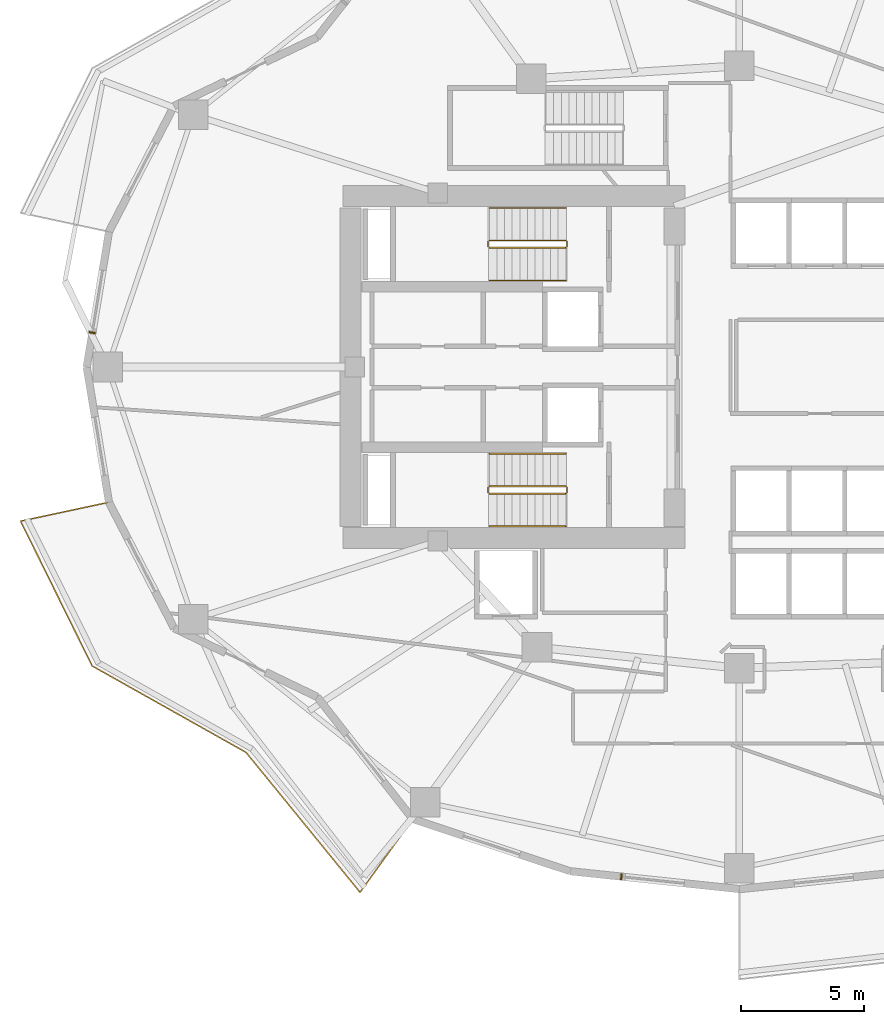
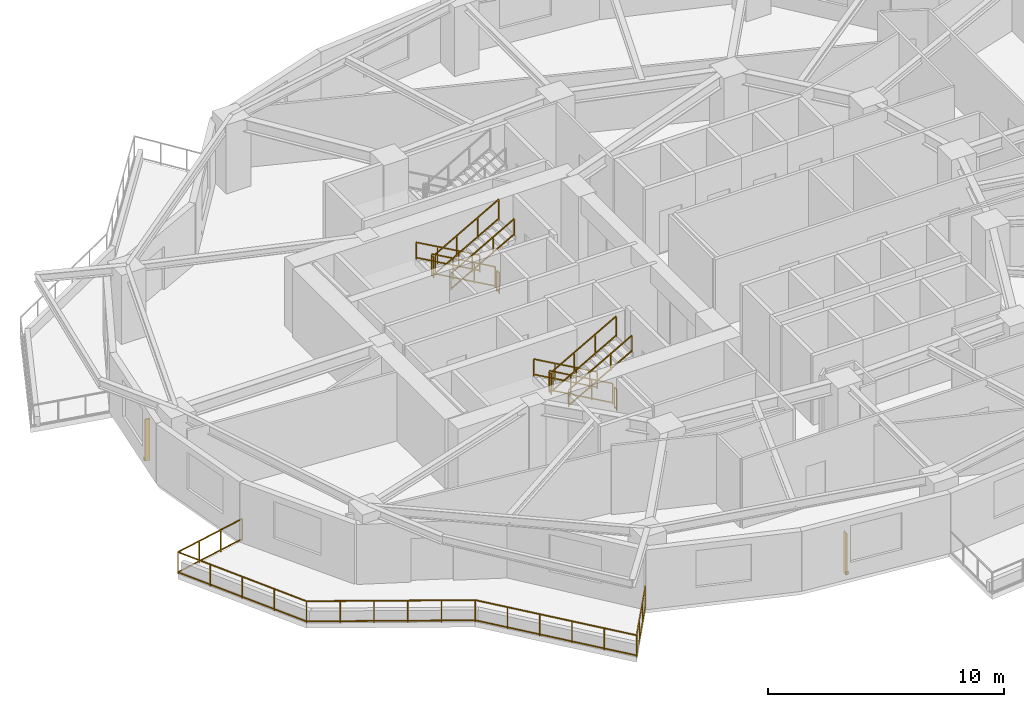
# One storey, part 8 of 11: 13 railings, 2 shading devices.
"""IFC4 building model written with IfcOpenShell, lengths in metres."""

from ifc_helpers import new_model, si_unit, direction, frame, origin, origin_2d, place, context, subcontext, project, spatial, rectangle, extrude, material, type_object, element, save


model = new_model("IFC4")

# Units and contexts
model_context = context("Model", 3, precision=1e-05, world=origin(), true_north=direction((0.0, 1.0)))
body_context = subcontext(model_context, "Body", "Model", "MODEL_VIEW")
ifc_project = project(units=[si_unit("LENGTHUNIT", "METRE"), si_unit("AREAUNIT", "SQUARE_METRE"), si_unit("VOLUMEUNIT", "CUBIC_METRE"), si_unit("PLANEANGLEUNIT", "RADIAN"), si_unit("MASSUNIT", "GRAM", prefix="KILO")], contexts=[model_context])

# Site, building, storey
site_placement = place(None, origin())
site = spatial("IfcSite", under=ifc_project, at=site_placement, CompositionType="ELEMENT")
building_placement = place(site_placement, origin())
building = spatial("IfcBuilding", under=site, at=building_placement, Name="Kolvaren Gate Tower and Convention Centre", CompositionType="ELEMENT")
storey_placement = place(building_placement, frame((0.0, 0.0, 80.39990234375)))
storey = spatial("IfcBuildingStorey", under=building, at=storey_placement, Name="L19", CompositionType="ELEMENT", Elevation=80.39990234375)

# Railings
ifc_material_1 = material(Name="Brushed Stainless Steel Grade 316L", Category="steel")
railing_type_1 = type_object("IfcRailingType", Name="ARCH-RL-GUARD-1150", PredefinedType="GUARDRAIL", material=ifc_material_1)
railing_1_placement = place(storey_placement, frame((23.10009765625, 32.1298828125, 0.175048828125)))
element("IfcRailing", 1, at=railing_1_placement, inside=storey, type_object=railing_type_1, Name="L19 ST-T1 stair guard 1", PredefinedType="GUARDRAIL", context=body_context, shape_type="SweptSolid", body=[
    extrude(rectangle(XDim=0.048095703125, YDim=0.048095703125, at=origin_2d()), frame((0.0, 0.0, 1.076171875), z_axis=(-0.870830938388, 0.0, 0.491582624537), x_axis=(0.0, -1.0, 0.0)), (0.0, 0.0, 1.0), 3.559814453125),
    extrude(rectangle(XDim=0.048095703125, YDim=0.048095703125, at=origin_2d()), frame((0.0, 0.0, 0.083984375), z_axis=(-0.870830938388, 0.0, 0.491582624537), x_axis=(0.0, -1.0, 0.0)), (0.0, 0.0, 1.0), 3.559814453125),
    extrude(rectangle(XDim=0.0419921875, YDim=0.0419921875, at=origin_2d()), origin(), (0.0, 0.0, 1.0), 1.050048828125),
    extrude(rectangle(XDim=0.0419921875, YDim=0.0419921875, at=origin_2d()), frame((-3.10009765625, 0.0, 1.75)), (0.0, 0.0, 1.0), 1.050048828125),
    extrude(rectangle(XDim=0.0419921875, YDim=0.0419921875, at=origin_2d()), frame((-1.033447265625, 0.0, 0.583251953125)), (0.0, 0.0, 1.0), 1.050048828125),
    extrude(rectangle(XDim=0.0419921875, YDim=0.0419921875, at=origin_2d()), frame((-2.066650390625, 0.0, 1.166748046875)), (0.0, 0.0, 1.0), 1.050048828125),
])
railing_2_placement = place(storey_placement, frame((19.949951171875, 32.080078125, 1.925048828125)))
element("IfcRailing", 2, at=railing_2_placement, inside=storey, type_object=railing_type_1, Name="L19 ST-T1 stair guard 2", PredefinedType="GUARDRAIL", context=body_context, shape_type="SweptSolid", body=[
    extrude(rectangle(XDim=0.048095703125, YDim=0.048095703125, at=origin_2d()), frame((0.0, 0.0, 1.076171875), z_axis=(0.0, -1.0, 0.0), x_axis=(1.0, 0.0, 0.0)), (0.0, 0.0, 1.0), 0.2001953125),
    extrude(rectangle(XDim=0.048095703125, YDim=0.048095703125, at=origin_2d()), frame((0.0, 0.0, 0.083984375), z_axis=(0.0, -1.0, 0.0), x_axis=(1.0, 0.0, 0.0)), (0.0, 0.0, 1.0), 0.2001953125),
    extrude(rectangle(XDim=0.0419921875, YDim=0.0419921875, at=origin_2d()), origin(), (0.0, 0.0, 1.0), 1.050048828125),
    extrude(rectangle(XDim=0.0419921875, YDim=0.0419921875, at=origin_2d()), frame((0.0, -0.2001953125, 0.0)), (0.0, 0.0, 1.0), 1.050048828125),
])
railing_3_placement = place(storey_placement, frame((20.0, 31.830078125, 2.10009765625)))
element("IfcRailing", 3, at=railing_3_placement, inside=storey, type_object=railing_type_1, Name="L19 ST-T1 stair guard 3", PredefinedType="GUARDRAIL", context=body_context, shape_type="SweptSolid", body=[
    extrude(rectangle(XDim=0.048095703125, YDim=0.048095703125, at=origin_2d()), frame((0.0, 0.0, 1.076171875), z_axis=(0.870830938388, 0.0, 0.491582624537), x_axis=(0.0, 1.0, 0.0)), (0.0, 0.0, 1.0), 3.559814453125),
    extrude(rectangle(XDim=0.048095703125, YDim=0.048095703125, at=origin_2d()), frame((0.0, 0.0, 0.083984375), z_axis=(0.870830938388, 0.0, 0.491582624537), x_axis=(0.0, 1.0, 0.0)), (0.0, 0.0, 1.0), 3.559814453125),
    extrude(rectangle(XDim=0.0419921875, YDim=0.0419921875, at=origin_2d()), origin(), (0.0, 0.0, 1.0), 1.050048828125),
    extrude(rectangle(XDim=0.0419921875, YDim=0.0419921875, at=origin_2d()), frame((3.10009765625, 0.0, 1.75)), (0.0, 0.0, 1.0), 1.050048828125),
    extrude(rectangle(XDim=0.0419921875, YDim=0.0419921875, at=origin_2d()), frame((1.033447265625, 0.0, 0.583251953125)), (0.0, 0.0, 1.0), 1.050048828125),
    extrude(rectangle(XDim=0.0419921875, YDim=0.0419921875, at=origin_2d()), frame((2.066650390625, 0.0, 1.166748046875)), (0.0, 0.0, 1.0), 1.050048828125),
])
railing_4_placement = place(storey_placement, frame((23.14990234375, 32.080078125, 0.0)))
element("IfcRailing", 4, at=railing_4_placement, inside=storey, type_object=railing_type_1, Name="L19 ST-T1 stair guard 4", PredefinedType="GUARDRAIL", context=body_context, shape_type="SweptSolid", body=[
    extrude(rectangle(XDim=0.048095703125, YDim=0.048095703125, at=origin_2d()), frame((0.0, 0.0, 1.076171875), z_axis=(0.0, -1.0, 0.0), x_axis=(1.0, 0.0, 0.0)), (0.0, 0.0, 1.0), 0.2001953125),
    extrude(rectangle(XDim=0.048095703125, YDim=0.048095703125, at=origin_2d()), frame((0.0, 0.0, 0.083984375), z_axis=(0.0, -1.0, 0.0), x_axis=(1.0, 0.0, 0.0)), (0.0, 0.0, 1.0), 0.2001953125),
    extrude(rectangle(XDim=0.0419921875, YDim=0.0419921875, at=origin_2d()), origin(), (0.0, 0.0, 1.0), 1.050048828125),
    extrude(rectangle(XDim=0.0419921875, YDim=0.0419921875, at=origin_2d()), frame((0.0, -0.2001953125, 0.0)), (0.0, 0.0, 1.0), 1.050048828125),
])
railing_5_placement = place(storey_placement, frame((23.10009765625, 22.169921875, 0.175048828125)))
element("IfcRailing", 5, at=railing_5_placement, inside=storey, type_object=railing_type_1, Name="L19 ST-T2 stair guard 1", PredefinedType="GUARDRAIL", context=body_context, shape_type="SweptSolid", body=[
    extrude(rectangle(XDim=0.048095703125, YDim=0.048095703125, at=origin_2d()), frame((0.0, 0.0, 1.076171875), z_axis=(-0.870830938388, 0.0, 0.491582624537), x_axis=(0.0, -1.0, 0.0)), (0.0, 0.0, 1.0), 3.559814453125),
    extrude(rectangle(XDim=0.048095703125, YDim=0.048095703125, at=origin_2d()), frame((0.0, 0.0, 0.083984375), z_axis=(-0.870830938388, 0.0, 0.491582624537), x_axis=(0.0, -1.0, 0.0)), (0.0, 0.0, 1.0), 3.559814453125),
    extrude(rectangle(XDim=0.0419921875, YDim=0.0419921875, at=origin_2d()), origin(), (0.0, 0.0, 1.0), 1.050048828125),
    extrude(rectangle(XDim=0.0419921875, YDim=0.0419921875, at=origin_2d()), frame((-3.10009765625, 0.0, 1.75)), (0.0, 0.0, 1.0), 1.050048828125),
    extrude(rectangle(XDim=0.0419921875, YDim=0.0419921875, at=origin_2d()), frame((-1.033447265625, 0.0, 0.583251953125)), (0.0, 0.0, 1.0), 1.050048828125),
    extrude(rectangle(XDim=0.0419921875, YDim=0.0419921875, at=origin_2d()), frame((-2.066650390625, 0.0, 1.166748046875)), (0.0, 0.0, 1.0), 1.050048828125),
])
railing_6_placement = place(storey_placement, frame((19.949951171875, 22.1201171875, 1.925048828125)))
element("IfcRailing", 6, at=railing_6_placement, inside=storey, type_object=railing_type_1, Name="L19 ST-T2 stair guard 2", PredefinedType="GUARDRAIL", context=body_context, shape_type="SweptSolid", body=[
    extrude(rectangle(XDim=0.048095703125, YDim=0.048095703125, at=origin_2d()), frame((0.0, 0.0, 1.076171875), z_axis=(0.0, -1.0, 0.0), x_axis=(1.0, 0.0, 0.0)), (0.0, 0.0, 1.0), 0.2001953125),
    extrude(rectangle(XDim=0.048095703125, YDim=0.048095703125, at=origin_2d()), frame((0.0, 0.0, 0.083984375), z_axis=(0.0, -1.0, 0.0), x_axis=(1.0, 0.0, 0.0)), (0.0, 0.0, 1.0), 0.2001953125),
    extrude(rectangle(XDim=0.0419921875, YDim=0.0419921875, at=origin_2d()), origin(), (0.0, 0.0, 1.0), 1.050048828125),
    extrude(rectangle(XDim=0.0419921875, YDim=0.0419921875, at=origin_2d()), frame((0.0, -0.2001953125, 0.0)), (0.0, 0.0, 1.0), 1.050048828125),
])
railing_7_placement = place(storey_placement, frame((20.0, 21.8701171875, 2.10009765625)))
element("IfcRailing", 7, at=railing_7_placement, inside=storey, type_object=railing_type_1, Name="L19 ST-T2 stair guard 3", PredefinedType="GUARDRAIL", context=body_context, shape_type="SweptSolid", body=[
    extrude(rectangle(XDim=0.048095703125, YDim=0.048095703125, at=origin_2d()), frame((0.0, 0.0, 1.076171875), z_axis=(0.870830938388, 0.0, 0.491582624537), x_axis=(0.0, 1.0, 0.0)), (0.0, 0.0, 1.0), 3.559814453125),
    extrude(rectangle(XDim=0.048095703125, YDim=0.048095703125, at=origin_2d()), frame((0.0, 0.0, 0.083984375), z_axis=(0.870830938388, 0.0, 0.491582624537), x_axis=(0.0, 1.0, 0.0)), (0.0, 0.0, 1.0), 3.559814453125),
    extrude(rectangle(XDim=0.0419921875, YDim=0.0419921875, at=origin_2d()), origin(), (0.0, 0.0, 1.0), 1.050048828125),
    extrude(rectangle(XDim=0.0419921875, YDim=0.0419921875, at=origin_2d()), frame((3.10009765625, 0.0, 1.75)), (0.0, 0.0, 1.0), 1.050048828125),
    extrude(rectangle(XDim=0.0419921875, YDim=0.0419921875, at=origin_2d()), frame((1.033447265625, 0.0, 0.583251953125)), (0.0, 0.0, 1.0), 1.050048828125),
    extrude(rectangle(XDim=0.0419921875, YDim=0.0419921875, at=origin_2d()), frame((2.066650390625, 0.0, 1.166748046875)), (0.0, 0.0, 1.0), 1.050048828125),
])
railing_8_placement = place(storey_placement, frame((23.14990234375, 22.1201171875, 0.0)))
element("IfcRailing", 8, at=railing_8_placement, inside=storey, type_object=railing_type_1, Name="L19 ST-T2 stair guard 4", PredefinedType="GUARDRAIL", context=body_context, shape_type="SweptSolid", body=[
    extrude(rectangle(XDim=0.048095703125, YDim=0.048095703125, at=origin_2d()), frame((0.0, 0.0, 1.076171875), z_axis=(0.0, -1.0, 0.0), x_axis=(1.0, 0.0, 0.0)), (0.0, 0.0, 1.0), 0.2001953125),
    extrude(rectangle(XDim=0.048095703125, YDim=0.048095703125, at=origin_2d()), frame((0.0, 0.0, 0.083984375), z_axis=(0.0, -1.0, 0.0), x_axis=(1.0, 0.0, 0.0)), (0.0, 0.0, 1.0), 0.2001953125),
    extrude(rectangle(XDim=0.0419921875, YDim=0.0419921875, at=origin_2d()), origin(), (0.0, 0.0, 1.0), 1.050048828125),
    extrude(rectangle(XDim=0.0419921875, YDim=0.0419921875, at=origin_2d()), frame((0.0, -0.2001953125, 0.0)), (0.0, 0.0, 1.0), 1.050048828125),
])
railing_9_placement = place(storey_placement, frame((4.58837890625, 21.52587890625, 0.0)))
element("IfcRailing", 9, at=railing_9_placement, inside=storey, type_object=railing_type_1, Name="Tower L19 Terrace Perimeter Guardrail GR-2", PredefinedType="GUARDRAIL", context=body_context, shape_type="SweptSolid", body=[
    extrude(rectangle(XDim=0.048095703125, YDim=0.048095703125, at=origin_2d()), frame((-0.02734375, -0.005859375, 1.1259765625), z_axis=(-0.977791675321, -0.209579196661, 0.0), x_axis=(0.209579196661, -0.977791675321, 0.0)), (0.0, 0.0, 1.0), 3.60400390625),
    extrude(rectangle(XDim=0.048095703125, YDim=0.048095703125, at=origin_2d()), frame((-0.02734375, -0.005859375, 0.083984375), z_axis=(-0.977791675321, -0.209579196661, 0.0), x_axis=(0.209579196661, -0.977791675321, 0.0)), (0.0, 0.0, 1.0), 3.60400390625),
    extrude(rectangle(XDim=0.048095703125, YDim=0.048095703125, at=origin_2d()), frame((-3.56640625, -0.792236328125, 1.1259765625), z_axis=(0.442686636348, -0.89667638644, 0.0), x_axis=(0.89667638644, 0.442686636348, 0.0)), (0.0, 0.0, 1.0), 6.488525390625),
    extrude(rectangle(XDim=0.048095703125, YDim=0.048095703125, at=origin_2d()), frame((-3.56640625, -0.792236328125, 0.083984375), z_axis=(0.442686636348, -0.89667638644, 0.0), x_axis=(0.89667638644, 0.442686636348, 0.0)), (0.0, 0.0, 1.0), 6.488525390625),
    extrude(rectangle(XDim=0.048095703125, YDim=0.048095703125, at=origin_2d()), frame((-0.6572265625, -6.649169921875, 1.1259765625), z_axis=(0.871783301661, -0.489891697159, 0.0), x_axis=(0.489891697159, 0.871783301661, 0.0)), (0.0, 0.0, 1.0), 7.096435546875),
    extrude(rectangle(XDim=0.048095703125, YDim=0.048095703125, at=origin_2d()), frame((-0.6572265625, -6.649169921875, 0.083984375), z_axis=(0.871783301661, -0.489891697159, 0.0), x_axis=(0.489891697159, 0.871783301661, 0.0)), (0.0, 0.0, 1.0), 7.096435546875),
    extrude(rectangle(XDim=0.048095703125, YDim=0.048095703125, at=origin_2d()), frame((5.571533203125, -10.1611328125, 1.1259765625), z_axis=(0.631819273026, -0.775115737315, 0.0), x_axis=(0.775115737315, 0.631819273026, 0.0)), (0.0, 0.0, 1.0), 7.259765625),
    extrude(rectangle(XDim=0.048095703125, YDim=0.048095703125, at=origin_2d()), frame((5.571533203125, -10.1611328125, 0.083984375), z_axis=(0.631819273026, -0.775115737315, 0.0), x_axis=(0.775115737315, 0.631819273026, 0.0)), (0.0, 0.0, 1.0), 7.259765625),
    extrude(rectangle(XDim=0.048095703125, YDim=0.048095703125, at=origin_2d()), frame((10.1923828125, -15.787353515625, 1.1259765625), z_axis=(0.585212870465, 0.810879705161, 0.0), x_axis=(-0.810879705161, 0.585212870465, 0.0)), (0.0, 0.0, 1.0), 3.603759765625),
    extrude(rectangle(XDim=0.048095703125, YDim=0.048095703125, at=origin_2d()), frame((10.1923828125, -15.787353515625, 0.083984375), z_axis=(0.585212870465, 0.810879705161, 0.0), x_axis=(-0.810879705161, 0.585212870465, 0.0)), (0.0, 0.0, 1.0), 3.603759765625),
    extrude(rectangle(XDim=0.0419921875, YDim=0.0419921875, at=origin_2d()), origin(), (0.0, 0.0, 1.0), 1.14990234375),
    extrude(rectangle(XDim=0.0419921875, YDim=0.0419921875, at=origin_2d()), frame((-3.578857421875, -0.76708984375, 0.0)), (0.0, 0.0, 1.0), 1.14990234375),
    extrude(rectangle(XDim=0.0419921875, YDim=0.0419921875, at=origin_2d()), frame((-1.19287109375, -0.255615234375, 0.0)), (0.0, 0.0, 1.0), 1.099853515625),
    extrude(rectangle(XDim=0.0419921875, YDim=0.0419921875, at=origin_2d()), frame((-2.385986328125, -0.511474609375, 0.0)), (0.0, 0.0, 1.0), 1.099853515625),
    extrude(rectangle(XDim=0.0419921875, YDim=0.0419921875, at=origin_2d()), frame((-0.681640625, -6.635498046875, 0.0)), (0.0, 0.0, 1.0), 1.14990234375),
    extrude(rectangle(XDim=0.0419921875, YDim=0.0419921875, at=origin_2d()), frame((-2.8544921875, -2.234130859375, 0.0)), (0.0, 0.0, 1.0), 1.099853515625),
    extrude(rectangle(XDim=0.0419921875, YDim=0.0419921875, at=origin_2d()), frame((-2.13037109375, -3.701171875, 0.0)), (0.0, 0.0, 1.0), 1.099853515625),
    extrude(rectangle(XDim=0.0419921875, YDim=0.0419921875, at=origin_2d()), frame((-1.406005859375, -5.16845703125, 0.0)), (0.0, 0.0, 1.0), 1.099853515625),
    extrude(rectangle(XDim=0.0419921875, YDim=0.0419921875, at=origin_2d()), frame((5.5537109375, -10.139404296875, 0.0)), (0.0, 0.0, 1.0), 1.14990234375),
    extrude(rectangle(XDim=0.0419921875, YDim=0.0419921875, at=origin_2d()), frame((0.5654296875, -7.336181640625, 0.0)), (0.0, 0.0, 1.0), 1.099853515625),
    extrude(rectangle(XDim=0.0419921875, YDim=0.0419921875, at=origin_2d()), frame((1.8125, -8.037109375, 0.0)), (0.0, 0.0, 1.0), 1.099853515625),
    extrude(rectangle(XDim=0.0419921875, YDim=0.0419921875, at=origin_2d()), frame((3.0595703125, -8.73779296875, 0.0)), (0.0, 0.0, 1.0), 1.099853515625),
    extrude(rectangle(XDim=0.0419921875, YDim=0.0419921875, at=origin_2d()), frame((4.306640625, -9.438720703125, 0.0)), (0.0, 0.0, 1.0), 1.099853515625),
    extrude(rectangle(XDim=0.0419921875, YDim=0.0419921875, at=origin_2d()), frame((10.176025390625, -15.81005859375, 0.0)), (0.0, 0.0, 1.0), 1.14990234375),
    extrude(rectangle(XDim=0.0419921875, YDim=0.0419921875, at=origin_2d()), frame((6.478271484375, -11.2734375, 0.0)), (0.0, 0.0, 1.0), 1.099853515625),
    extrude(rectangle(XDim=0.0419921875, YDim=0.0419921875, at=origin_2d()), frame((7.402587890625, -12.40771484375, 0.0)), (0.0, 0.0, 1.0), 1.099853515625),
    extrude(rectangle(XDim=0.0419921875, YDim=0.0419921875, at=origin_2d()), frame((8.3271484375, -13.541748046875, 0.0)), (0.0, 0.0, 1.0), 1.099853515625),
    extrude(rectangle(XDim=0.0419921875, YDim=0.0419921875, at=origin_2d()), frame((9.25146484375, -14.676025390625, 0.0)), (0.0, 0.0, 1.0), 1.099853515625),
    extrude(rectangle(XDim=0.0419921875, YDim=0.0419921875, at=origin_2d()), frame((12.31787109375, -12.84228515625, 0.0)), (0.0, 0.0, 1.0), 1.14990234375),
    extrude(rectangle(XDim=0.0419921875, YDim=0.0419921875, at=origin_2d()), frame((10.889892578125, -14.82080078125, 0.0)), (0.0, 0.0, 1.0), 1.099853515625),
    extrude(rectangle(XDim=0.0419921875, YDim=0.0419921875, at=origin_2d()), frame((11.60400390625, -13.83154296875, 0.0)), (0.0, 0.0, 1.0), 1.099853515625),
])
railing_type_2 = type_object("IfcRailingType", Name="ARCH-RL-HANDRAIL-920", PredefinedType="HANDRAIL", material=ifc_material_1)
railing_10_placement = place(storey_placement, frame((23.10009765625, 33.449951171875, 0.175048828125)))
element("IfcRailing", 10, at=railing_10_placement, inside=storey, type_object=railing_type_2, Name="L19 ST-T1 stair handrail 1", PredefinedType="HANDRAIL", context=body_context, shape_type="SweptSolid", body=[
    extrude(rectangle(XDim=0.048095703125, YDim=0.048095703125, at=origin_2d()), frame((0.0, 0.0, 0.8759765625), z_axis=(-0.870830938388, 0.0, 0.491582624537), x_axis=(0.0, -1.0, 0.0)), (0.0, 0.0, 1.0), 3.559814453125),
    extrude(rectangle(XDim=0.048095703125, YDim=0.048095703125, at=origin_2d()), frame((0.0, 0.0, 0.083984375), z_axis=(-0.870830938388, 0.0, 0.491582624537), x_axis=(0.0, -1.0, 0.0)), (0.0, 0.0, 1.0), 3.559814453125),
    extrude(rectangle(XDim=0.0419921875, YDim=0.0419921875, at=origin_2d()), origin(), (0.0, 0.0, 1.0), 0.849853515625),
    extrude(rectangle(XDim=0.0419921875, YDim=0.0419921875, at=origin_2d()), frame((-3.10009765625, 0.0, 1.75)), (0.0, 0.0, 1.0), 0.849853515625),
    extrude(rectangle(XDim=0.0419921875, YDim=0.0419921875, at=origin_2d()), frame((-1.033447265625, 0.0, 0.583251953125)), (0.0, 0.0, 1.0), 0.849853515625),
    extrude(rectangle(XDim=0.0419921875, YDim=0.0419921875, at=origin_2d()), frame((-2.066650390625, 0.0, 1.166748046875)), (0.0, 0.0, 1.0), 0.849853515625),
])
railing_11_placement = place(storey_placement, frame((20.0, 30.510009765625, 2.10009765625)))
element("IfcRailing", 11, at=railing_11_placement, inside=storey, type_object=railing_type_2, Name="L19 ST-T1 stair handrail 2", PredefinedType="HANDRAIL", context=body_context, shape_type="SweptSolid", body=[
    extrude(rectangle(XDim=0.048095703125, YDim=0.048095703125, at=origin_2d()), frame((0.0, 0.0, 0.8759765625), z_axis=(0.870830938388, 0.0, 0.491582624537), x_axis=(0.0, 1.0, 0.0)), (0.0, 0.0, 1.0), 3.559814453125),
    extrude(rectangle(XDim=0.048095703125, YDim=0.048095703125, at=origin_2d()), frame((0.0, 0.0, 0.083984375), z_axis=(0.870830938388, 0.0, 0.491582624537), x_axis=(0.0, 1.0, 0.0)), (0.0, 0.0, 1.0), 3.559814453125),
    extrude(rectangle(XDim=0.0419921875, YDim=0.0419921875, at=origin_2d()), origin(), (0.0, 0.0, 1.0), 0.849853515625),
    extrude(rectangle(XDim=0.0419921875, YDim=0.0419921875, at=origin_2d()), frame((3.10009765625, 0.0, 1.75)), (0.0, 0.0, 1.0), 0.849853515625),
    extrude(rectangle(XDim=0.0419921875, YDim=0.0419921875, at=origin_2d()), frame((1.033447265625, 0.0, 0.583251953125)), (0.0, 0.0, 1.0), 0.849853515625),
    extrude(rectangle(XDim=0.0419921875, YDim=0.0419921875, at=origin_2d()), frame((2.066650390625, 0.0, 1.166748046875)), (0.0, 0.0, 1.0), 0.849853515625),
])
railing_12_placement = place(storey_placement, frame((23.10009765625, 23.489990234375, 0.175048828125)))
element("IfcRailing", 12, at=railing_12_placement, inside=storey, type_object=railing_type_2, Name="L19 ST-T2 stair handrail 1", PredefinedType="HANDRAIL", context=body_context, shape_type="SweptSolid", body=[
    extrude(rectangle(XDim=0.048095703125, YDim=0.048095703125, at=origin_2d()), frame((0.0, 0.0, 0.8759765625), z_axis=(-0.870830938388, 0.0, 0.491582624537), x_axis=(0.0, -1.0, 0.0)), (0.0, 0.0, 1.0), 3.559814453125),
    extrude(rectangle(XDim=0.048095703125, YDim=0.048095703125, at=origin_2d()), frame((0.0, 0.0, 0.083984375), z_axis=(-0.870830938388, 0.0, 0.491582624537), x_axis=(0.0, -1.0, 0.0)), (0.0, 0.0, 1.0), 3.559814453125),
    extrude(rectangle(XDim=0.0419921875, YDim=0.0419921875, at=origin_2d()), origin(), (0.0, 0.0, 1.0), 0.849853515625),
    extrude(rectangle(XDim=0.0419921875, YDim=0.0419921875, at=origin_2d()), frame((-3.10009765625, 0.0, 1.75)), (0.0, 0.0, 1.0), 0.849853515625),
    extrude(rectangle(XDim=0.0419921875, YDim=0.0419921875, at=origin_2d()), frame((-1.033447265625, 0.0, 0.583251953125)), (0.0, 0.0, 1.0), 0.849853515625),
    extrude(rectangle(XDim=0.0419921875, YDim=0.0419921875, at=origin_2d()), frame((-2.066650390625, 0.0, 1.166748046875)), (0.0, 0.0, 1.0), 0.849853515625),
])
railing_13_placement = place(storey_placement, frame((20.0, 20.550048828125, 2.10009765625)))
element("IfcRailing", 13, at=railing_13_placement, inside=storey, type_object=railing_type_2, Name="L19 ST-T2 stair handrail 2", PredefinedType="HANDRAIL", context=body_context, shape_type="SweptSolid", body=[
    extrude(rectangle(XDim=0.048095703125, YDim=0.048095703125, at=origin_2d()), frame((0.0, 0.0, 0.8759765625), z_axis=(0.870830938388, 0.0, 0.491582624537), x_axis=(0.0, 1.0, 0.0)), (0.0, 0.0, 1.0), 3.559814453125),
    extrude(rectangle(XDim=0.048095703125, YDim=0.048095703125, at=origin_2d()), frame((0.0, 0.0, 0.083984375), z_axis=(0.870830938388, 0.0, 0.491582624537), x_axis=(0.0, 1.0, 0.0)), (0.0, 0.0, 1.0), 3.559814453125),
    extrude(rectangle(XDim=0.0419921875, YDim=0.0419921875, at=origin_2d()), origin(), (0.0, 0.0, 1.0), 0.849853515625),
    extrude(rectangle(XDim=0.0419921875, YDim=0.0419921875, at=origin_2d()), frame((3.10009765625, 0.0, 1.75)), (0.0, 0.0, 1.0), 0.849853515625),
    extrude(rectangle(XDim=0.0419921875, YDim=0.0419921875, at=origin_2d()), frame((1.033447265625, 0.0, 0.583251953125)), (0.0, 0.0, 1.0), 0.849853515625),
    extrude(rectangle(XDim=0.0419921875, YDim=0.0419921875, at=origin_2d()), frame((2.066650390625, 0.0, 1.166748046875)), (0.0, 0.0, 1.0), 0.849853515625),
])

# Shading devices
ifc_material_2 = material(Name="Kiln-Fired Bogota Terracotta Ceramic Louvre Profile", Category="masonry")
shading_device_type = type_object("IfcShadingDeviceType", Name="ARCH-SHD-FIN-180", PredefinedType="JALOUSIE", material=ifc_material_2)
for number, where, z_axis, x_axis, name in (
    (14, (3.9169921875, 28.395263671875, 0.22021484375), (0.0, 0.0, 1.0), (0.162375401515, 0.986729055508, 0.0), "Ceramic Vertical Brise-Soleil Fin FN-L19-11"),
    (15, (25.35107421875, 6.352783203125, 0.22021484375), (0.0, 0.0, 1.0), (0.994498884311, -0.104747167526, 0.0), "Ceramic Vertical Brise-Soleil Fin FN-L19-17"),
):
    element("IfcShadingDevice", number, at=place(storey_placement, frame(where, z_axis=z_axis, x_axis=x_axis)), inside=storey, type_object=shading_device_type, Name=name, PredefinedType="JALOUSIE", context=body_context, shape_type="SweptSolid", body=[
        extrude(rectangle(XDim=0.06005859375, YDim=0.239990234375, at=origin_2d()), origin(), (0.0, 0.0, 1.0), 2.14990234375),
    ])

save(model, "model.ifc")
